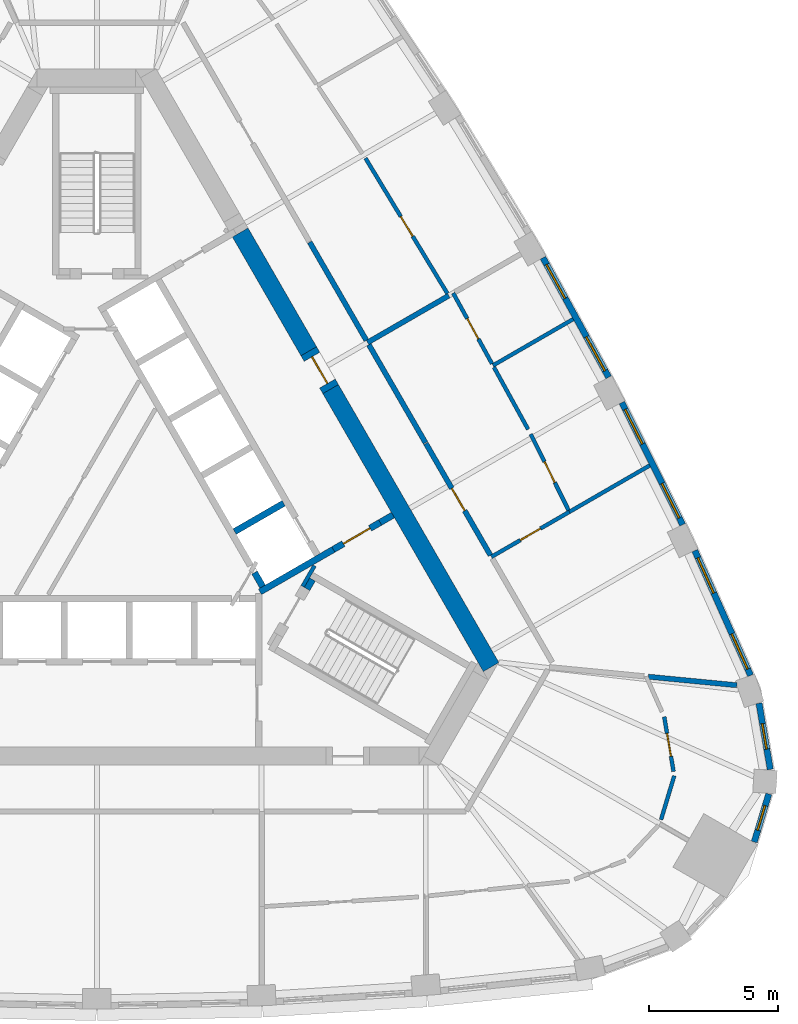
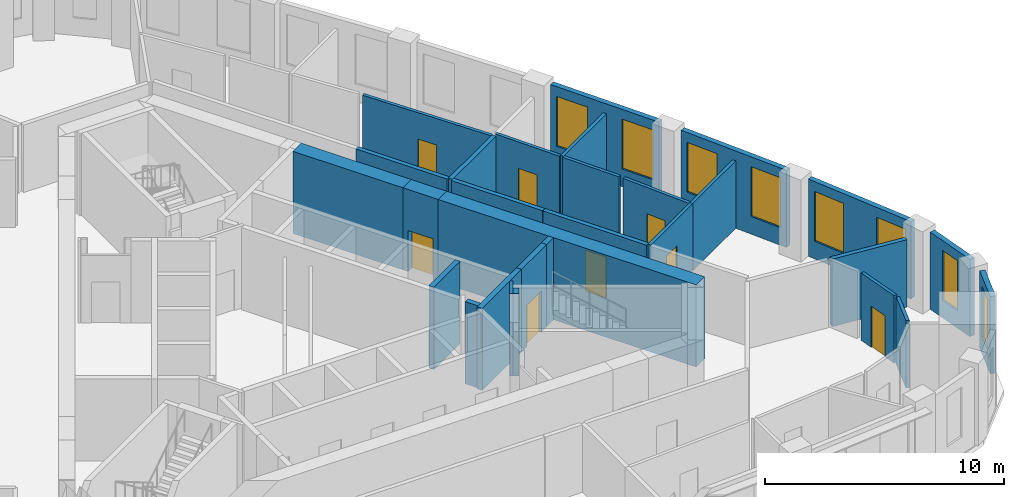
# One storey, part 7 of 10: 29 walls, 8 doors, 8 windows, 16 openings.
"""IFC4 building model written with IfcOpenShell, lengths in metres."""

from ifc_helpers import new_model, si_unit, direction, frame, frame_2d, origin, place, context, subcontext, project, spatial, rectangle, extrude, material, layer, layer_set, type_object, element, fill, save


model = new_model("IFC4")

# Units and contexts
model_context = context("Model", 3, precision=1e-05, world=origin(), true_north=direction((0.0, 1.0)))
body_context = subcontext(model_context, "Body", "Model", "MODEL_VIEW")
ifc_project = project(units=[si_unit("LENGTHUNIT", "METRE"), si_unit("AREAUNIT", "SQUARE_METRE"), si_unit("VOLUMEUNIT", "CUBIC_METRE"), si_unit("PLANEANGLEUNIT", "RADIAN"), si_unit("MASSUNIT", "GRAM", prefix="KILO")], contexts=[model_context])

# Site, building, storey
site_placement = place(None, origin())
site = spatial("IfcSite", under=ifc_project, at=site_placement, CompositionType="ELEMENT")
building_placement = place(site_placement, origin())
building = spatial("IfcBuilding", under=site, at=building_placement, Name="Mestral Congress Tower", CompositionType="ELEMENT")
storey_placement = place(building_placement, frame((0.0, 0.0, 226.800048828125)))
storey = spatial("IfcBuildingStorey", under=building, at=storey_placement, Name="L53", CompositionType="ELEMENT", Elevation=226.800048828125)

# Walls
ifc_material_1 = material(Name="Concrete C60/75", Category="concrete")
ifc_layer_1 = layer(ifc_material_1, 0.699951171875)
ifc_layer_set_1 = layer_set([ifc_layer_1], Name="Concrete C60/75")
wall_type_1 = type_object("IfcWallType", Name="Core wall RC 700", PredefinedType="SOLIDWALL", material=ifc_layer_set_1)
wall_1_placement = place(storey_placement, frame((9.085205078125, 4.263916015625, 0.0), z_axis=(0.0, 0.0, 1.0), x_axis=(0.499998082512, -0.866026510844, 0.0)))
element("IfcWall", 1, at=wall_1_placement, inside=storey, type_object=wall_type_1, Name="L53 core wall", PredefinedType="SOLIDWALL", context=body_context, shape_type="SweptSolid", body=[
    extrude(rectangle(XDim=12.47216796875, YDim=0.699951171875, at=frame_2d((6.236083984375, 0.0))), origin(), (0.0, 0.0, 1.0), 4.199951171875),
])
wall_2_placement = place(storey_placement, frame((5.5712890625, 10.350341796875, 0.0), z_axis=(0.0, 0.0, 1.0), x_axis=(0.499968379186, -0.8660436593, 0.0)))
element("IfcWall", 2, at=wall_2_placement, inside=storey, type_object=wall_type_1, Name="L53 core wall", PredefinedType="SOLIDWALL", context=body_context, shape_type="SweptSolid", body=[
    extrude(rectangle(XDim=5.327880859375, YDim=0.699951171875, at=frame_2d((2.6640625, 0.0))), origin(), (0.0, 0.0, 1.0), 4.199951171875),
])

# Wall, opening, door
wall_3_placement = place(storey_placement, frame((8.2353515625, 5.736083984375, 0.0), z_axis=(0.0, 0.0, 1.0), x_axis=(0.499954529098, -0.86605165483, 0.0)))
wall_3 = element("IfcWall", 3, at=wall_3_placement, inside=storey, type_object=wall_type_1, Name="L53 door wall", PredefinedType="SOLIDWALL", context=body_context, shape_type="SweptSolid", body=[
    extrude(rectangle(XDim=1.699951171875, YDim=0.699951171875, at=frame_2d((0.85009765625, 0.0))), origin(), (0.0, 0.0, 1.0), 4.199951171875),
])
opening_1_placement = place(wall_3_placement, frame((0.25, 0.0, 0.0)))
opening_1 = element("IfcOpeningElement", 4, at=opening_1_placement, cuts=wall_3, Name="Opening XDL", PredefinedType="OPENING", context=body_context, shape_type="SweptSolid", body=[
    extrude(rectangle(XDim=1.199951171875, YDim=2.10009765625, at=frame_2d((0.60009765625, 1.050048828125))), frame((0.0, 0.35986328125, 0.0), z_axis=(0.0, -1.0, 0.0), x_axis=(1.0, 0.0, 0.0)), (0.0, 0.0, 1.0), 0.719970703125),
])
ifc_material_2 = material(Name="Fire-rated steel door set", Category="steel")
door_type_1 = type_object("IfcDoorType", Name="Core door XD 1200x2100", OperationType="SINGLE_SWING_LEFT", PredefinedType="DOOR", material=ifc_material_2)
door_1_placement = place(opening_1_placement, origin())
door_1 = element("IfcDoor", 5, at=door_1_placement, inside=storey, type_object=door_type_1, Name="Door XDL", OperationType="SINGLE_SWING_LEFT", OverallHeight=2.10009765625, OverallWidth=1.199951171875, PredefinedType="DOOR", context=body_context, shape_type="SweptSolid", body=[
    extrude(rectangle(XDim=1.199951171875, YDim=2.10009765625, at=frame_2d((0.60009765625, 1.050048828125))), frame((0.0, 0.02490234375, 0.0), z_axis=(0.0, -1.0, 0.0), x_axis=(1.0, 0.0, 0.0)), (0.0, 0.0, 1.0), 0.050048828125),
])
fill(opening_1, door_1)

# Wall, opening, window
ifc_material_3 = material(Name="Precast concrete C40/50 with limestone facing", Category="masonry")
ifc_layer_2 = layer(ifc_material_3, 0.239990234375)
ifc_layer_set_2 = layer_set([ifc_layer_2], Name="Precast concrete C40/50 with limestone facing")
wall_type_2 = type_object("IfcWallType", Name="Facade stone wall 240", PredefinedType="SOLIDWALL", material=ifc_layer_set_2)
wall_4_placement = place(storey_placement, frame((25.5498046875, -13.334716796875, 0.0), z_axis=(0.0, 0.0, 1.0), x_axis=(0.288727209095, 0.957411405159, 0.0)))
wall_4 = element("IfcWall", 6, at=wall_4_placement, inside=storey, type_object=wall_type_2, Name="Facade wall K0-2", PredefinedType="SOLIDWALL", context=body_context, shape_type="SweptSolid", body=[
    extrude(rectangle(XDim=1.9482421875, YDim=0.239990234375, at=frame_2d((0.97412109375, 0.0))), origin(), (0.0, 0.0, 1.0), 3.949951171875),
])
opening_2_placement = place(wall_4_placement, frame((0.47412109375, 0.0, 0.89990234375)))
opening_2 = element("IfcOpeningElement", 7, at=opening_2_placement, cuts=wall_4, Name="Opening W5", PredefinedType="OPENING", context=body_context, shape_type="SweptSolid", body=[
    extrude(rectangle(XDim=1.0, YDim=2.550048828125, at=frame_2d((0.5, 1.27490234375))), frame((0.0, 0.1298828125, 0.0), z_axis=(0.0, -1.0, 0.0), x_axis=(1.0, 0.0, 0.0)), (0.0, 0.0, 1.0), 0.260009765625),
])
ifc_material_4 = material(Name="Clear low-emissivity double glazing", Category="glass")
window_type_1 = type_object("IfcWindowType", Name="Facade punched window 1000 x 2550 sill 900", PartitioningType="SINGLE_PANEL", PredefinedType="WINDOW", material=ifc_material_4)
window_1_placement = place(opening_2_placement, origin())
window_1 = element("IfcWindow", 8, at=window_1_placement, inside=storey, type_object=window_type_1, Name="Window K0-2", OverallHeight=2.550048828125, OverallWidth=1.0, PartitioningType="SINGLE_PANEL", PredefinedType="WINDOW", context=body_context, shape_type="SweptSolid", body=[
    extrude(rectangle(XDim=1.0, YDim=2.550048828125, at=frame_2d((0.5, 1.27490234375))), frame((0.0, 0.0400390625, 0.0), z_axis=(0.0, -1.0, 0.0), x_axis=(1.0, 0.0, 0.0)), (0.0, 0.0, 1.0), 0.06005859375),
])
fill(opening_2, window_1)

wall_5_placement = place(storey_placement, frame((26.171630859375, -10.517333984375, 0.0), z_axis=(0.0, 0.0, 1.0), x_axis=(-0.167660055546, 0.985844869021, 0.0)))
wall_5 = element("IfcWall", 9, at=wall_5_placement, inside=storey, type_object=wall_type_2, Name="Facade wall K0-3", PredefinedType="SOLIDWALL", context=body_context, shape_type="SweptSolid", body=[
    extrude(rectangle(XDim=2.609375, YDim=0.239990234375, at=frame_2d((1.3046875, 0.0))), origin(), (0.0, 0.0, 1.0), 3.949951171875),
])
opening_3_placement = place(wall_5_placement, frame((0.8046875, 0.0, 0.89990234375)))
opening_3 = element("IfcOpeningElement", 10, at=opening_3_placement, cuts=wall_5, Name="Opening W5", PredefinedType="OPENING", context=body_context, shape_type="SweptSolid", body=[
    extrude(rectangle(XDim=1.0, YDim=2.550048828125, at=frame_2d((0.5, 1.27490234375))), frame((0.0, 0.1298828125, 0.0), z_axis=(0.0, -1.0, 0.0), x_axis=(1.0, 0.0, 0.0)), (0.0, 0.0, 1.0), 0.260009765625),
])
window_2_placement = place(opening_3_placement, origin())
window_2 = element("IfcWindow", 11, at=window_2_placement, inside=storey, type_object=window_type_1, Name="Window K0-3", OverallHeight=2.550048828125, OverallWidth=1.0, PartitioningType="SINGLE_PANEL", PredefinedType="WINDOW", context=body_context, shape_type="SweptSolid", body=[
    extrude(rectangle(XDim=1.0, YDim=2.550048828125, at=frame_2d((0.5, 1.27490234375))), frame((0.0, 0.0400390625, 0.0), z_axis=(0.0, -1.0, 0.0), x_axis=(1.0, 0.0, 0.0)), (0.0, 0.0, 1.0), 0.06005859375),
])
fill(opening_3, window_2)

# Wall, openings, windows
wall_6_placement = place(storey_placement, frame((25.405029296875, -6.86083984375, 0.0), z_axis=(0.0, 0.0, 1.0), x_axis=(-0.407579651789, 0.913169659728, 0.0)))
wall_6 = element("IfcWall", 12, at=wall_6_placement, inside=storey, type_object=wall_type_2, Name="Facade wall F1-00", PredefinedType="SOLIDWALL", context=body_context, shape_type="SweptSolid", body=[
    extrude(rectangle(XDim=5.310791015625, YDim=0.239990234375, at=frame_2d((2.6552734375, 0.0))), origin(), (0.0, 0.0, 1.0), 3.949951171875),
])
opening_4_placement = place(wall_6_placement, frame((0.271484375, 0.0, 0.89990234375)))
opening_4 = element("IfcOpeningElement", 13, at=opening_4_placement, cuts=wall_6, Name="Opening W4", PredefinedType="OPENING", context=body_context, shape_type="SweptSolid", body=[
    extrude(rectangle(XDim=1.5, YDim=2.550048828125, at=frame_2d((0.75, 1.27490234375))), frame((0.0, 0.1298828125, 0.0), z_axis=(0.0, -1.0, 0.0), x_axis=(1.0, 0.0, 0.0)), (0.0, 0.0, 1.0), 0.260009765625),
])
opening_5_placement = place(wall_6_placement, frame((3.50439453125, 0.0, 0.89990234375)))
opening_5 = element("IfcOpeningElement", 14, at=opening_5_placement, cuts=wall_6, Name="Opening W4", PredefinedType="OPENING", context=body_context, shape_type="SweptSolid", body=[
    extrude(rectangle(XDim=1.5, YDim=2.550048828125, at=frame_2d((0.75, 1.27490234375))), frame((0.0, 0.1298828125, 0.0), z_axis=(0.0, -1.0, 0.0), x_axis=(1.0, 0.0, 0.0)), (0.0, 0.0, 1.0), 0.260009765625),
])
window_type_2 = type_object("IfcWindowType", Name="Facade punched window 1500 x 2550 sill 900", PartitioningType="SINGLE_PANEL", PredefinedType="WINDOW", material=ifc_material_4)
window_3_placement = place(opening_4_placement, origin())
window_3 = element("IfcWindow", 15, at=window_3_placement, inside=storey, type_object=window_type_2, Name="Window F1-00a", OverallHeight=2.550048828125, OverallWidth=1.5, PartitioningType="SINGLE_PANEL", PredefinedType="WINDOW", context=body_context, shape_type="SweptSolid", body=[
    extrude(rectangle(XDim=1.5, YDim=2.550048828125, at=frame_2d((0.75, 1.27490234375))), frame((0.0, 0.0400390625, 0.0), z_axis=(0.0, -1.0, 0.0), x_axis=(1.0, 0.0, 0.0)), (0.0, 0.0, 1.0), 0.06005859375),
])
fill(opening_4, window_3)
window_4_placement = place(opening_5_placement, origin())
window_4 = element("IfcWindow", 16, at=window_4_placement, inside=storey, type_object=window_type_2, Name="Window F1-00b", OverallHeight=2.550048828125, OverallWidth=1.5, PartitioningType="SINGLE_PANEL", PredefinedType="WINDOW", context=body_context, shape_type="SweptSolid", body=[
    extrude(rectangle(XDim=1.5, YDim=2.550048828125, at=frame_2d((0.75, 1.27490234375))), frame((0.0, 0.0400390625, 0.0), z_axis=(0.0, -1.0, 0.0), x_axis=(1.0, 0.0, 0.0)), (0.0, 0.0, 1.0), 0.06005859375),
])
fill(opening_5, window_4)

wall_7_placement = place(storey_placement, frame((22.765869140625, -1.0048828125, 0.0), z_axis=(0.0, 0.0, 1.0), x_axis=(-0.445129582031, 0.895466166419, 0.0)))
wall_7 = element("IfcWall", 17, at=wall_7_placement, inside=storey, type_object=wall_type_2, Name="Facade wall F1-01", PredefinedType="SOLIDWALL", context=body_context, shape_type="SweptSolid", body=[
    extrude(rectangle(XDim=5.29833984375, YDim=0.239990234375, at=frame_2d((2.649169921875, 0.0))), origin(), (0.0, 0.0, 1.0), 3.949951171875),
])
opening_6_placement = place(wall_7_placement, frame((0.294677734375, 0.0, 0.89990234375)))
opening_6 = element("IfcOpeningElement", 18, at=opening_6_placement, cuts=wall_7, Name="Opening W4", PredefinedType="OPENING", context=body_context, shape_type="SweptSolid", body=[
    extrude(rectangle(XDim=1.5, YDim=2.550048828125, at=frame_2d((0.75, 1.27490234375))), frame((0.0, 0.1298828125, 0.0), z_axis=(0.0, -1.0, 0.0), x_axis=(1.0, 0.0, 0.0)), (0.0, 0.0, 1.0), 0.260009765625),
])
opening_7_placement = place(wall_7_placement, frame((3.503662109375, 0.0, 0.89990234375)))
opening_7 = element("IfcOpeningElement", 19, at=opening_7_placement, cuts=wall_7, Name="Opening W4", PredefinedType="OPENING", context=body_context, shape_type="SweptSolid", body=[
    extrude(rectangle(XDim=1.5, YDim=2.550048828125, at=frame_2d((0.75, 1.27490234375))), frame((0.0, 0.1298828125, 0.0), z_axis=(0.0, -1.0, 0.0), x_axis=(1.0, 0.0, 0.0)), (0.0, 0.0, 1.0), 0.260009765625),
])
window_5_placement = place(opening_6_placement, origin())
window_5 = element("IfcWindow", 20, at=window_5_placement, inside=storey, type_object=window_type_2, Name="Window F1-01a", OverallHeight=2.550048828125, OverallWidth=1.5, PartitioningType="SINGLE_PANEL", PredefinedType="WINDOW", context=body_context, shape_type="SweptSolid", body=[
    extrude(rectangle(XDim=1.5, YDim=2.550048828125, at=frame_2d((0.75, 1.27490234375))), frame((0.0, 0.0400390625, 0.0), z_axis=(0.0, -1.0, 0.0), x_axis=(1.0, 0.0, 0.0)), (0.0, 0.0, 1.0), 0.06005859375),
])
fill(opening_6, window_5)
window_6_placement = place(opening_7_placement, origin())
window_6 = element("IfcWindow", 21, at=window_6_placement, inside=storey, type_object=window_type_2, Name="Window F1-01b", OverallHeight=2.550048828125, OverallWidth=1.5, PartitioningType="SINGLE_PANEL", PredefinedType="WINDOW", context=body_context, shape_type="SweptSolid", body=[
    extrude(rectangle(XDim=1.5, YDim=2.550048828125, at=frame_2d((0.75, 1.27490234375))), frame((0.0, 0.0400390625, 0.0), z_axis=(0.0, -1.0, 0.0), x_axis=(1.0, 0.0, 0.0)), (0.0, 0.0, 1.0), 0.06005859375),
])
fill(opening_7, window_6)

wall_8_placement = place(storey_placement, frame((19.8916015625, 4.725341796875, 0.0), z_axis=(0.0, 0.0, 1.0), x_axis=(-0.481925825015, 0.876212017256, 0.0)))
wall_8 = element("IfcWall", 22, at=wall_8_placement, inside=storey, type_object=wall_type_2, Name="Facade wall F1-02", PredefinedType="SOLIDWALL", context=body_context, shape_type="SweptSolid", body=[
    extrude(rectangle(XDim=5.298583984375, YDim=0.239990234375, at=frame_2d((2.6494140625, 0.0))), origin(), (0.0, 0.0, 1.0), 3.949951171875),
])
opening_8_placement = place(wall_8_placement, frame((0.294677734375, 0.0, 0.89990234375)))
opening_8 = element("IfcOpeningElement", 23, at=opening_8_placement, cuts=wall_8, Name="Opening W4", PredefinedType="OPENING", context=body_context, shape_type="SweptSolid", body=[
    extrude(rectangle(XDim=1.5, YDim=2.550048828125, at=frame_2d((0.75, 1.27490234375))), frame((0.0, 0.1298828125, 0.0), z_axis=(0.0, -1.0, 0.0), x_axis=(1.0, 0.0, 0.0)), (0.0, 0.0, 1.0), 0.260009765625),
])
opening_9_placement = place(wall_8_placement, frame((3.503662109375, 0.0, 0.89990234375)))
opening_9 = element("IfcOpeningElement", 24, at=opening_9_placement, cuts=wall_8, Name="Opening W4", PredefinedType="OPENING", context=body_context, shape_type="SweptSolid", body=[
    extrude(rectangle(XDim=1.5, YDim=2.550048828125, at=frame_2d((0.75, 1.27490234375))), frame((0.0, 0.1298828125, 0.0), z_axis=(0.0, -1.0, 0.0), x_axis=(1.0, 0.0, 0.0)), (0.0, 0.0, 1.0), 0.260009765625),
])
window_7_placement = place(opening_8_placement, origin())
window_7 = element("IfcWindow", 25, at=window_7_placement, inside=storey, type_object=window_type_2, Name="Window F1-02a", OverallHeight=2.550048828125, OverallWidth=1.5, PartitioningType="SINGLE_PANEL", PredefinedType="WINDOW", context=body_context, shape_type="SweptSolid", body=[
    extrude(rectangle(XDim=1.5, YDim=2.550048828125, at=frame_2d((0.75, 1.27490234375))), frame((0.0, 0.0400390625, 0.0), z_axis=(0.0, -1.0, 0.0), x_axis=(1.0, 0.0, 0.0)), (0.0, 0.0, 1.0), 0.06005859375),
])
fill(opening_8, window_7)
window_8_placement = place(opening_9_placement, origin())
window_8 = element("IfcWindow", 26, at=window_8_placement, inside=storey, type_object=window_type_2, Name="Window F1-02b", OverallHeight=2.550048828125, OverallWidth=1.5, PartitioningType="SINGLE_PANEL", PredefinedType="WINDOW", context=body_context, shape_type="SweptSolid", body=[
    extrude(rectangle(XDim=1.5, YDim=2.550048828125, at=frame_2d((0.75, 1.27490234375))), frame((0.0, 0.0400390625, 0.0), z_axis=(0.0, -1.0, 0.0), x_axis=(1.0, 0.0, 0.0)), (0.0, 0.0, 1.0), 0.06005859375),
])
fill(opening_9, window_8)

# Wall
ifc_material_5 = material(Name="Plasterboard partition on steel studs", Category="steel")
ifc_layer_3 = layer(ifc_material_5, 0.14990234375)
ifc_layer_set_3 = layer_set([ifc_layer_3], Name="Plasterboard partition on steel studs")
wall_type_3 = type_object("IfcWallType", Name="Office partition 150", PredefinedType="PARTITIONING", material=ifc_layer_set_3)
wall_9_placement = place(storey_placement, frame((21.92529296875, -12.468994140625, 0.0), z_axis=(0.0, 0.0, 1.0), x_axis=(0.288767705809, 0.957399191603, 0.0)))
element("IfcWall", 27, at=wall_9_placement, inside=storey, type_object=wall_type_3, Name="Partition", PredefinedType="PARTITIONING", context=body_context, shape_type="SweptSolid", body=[
    extrude(rectangle(XDim=1.7822265625, YDim=0.14990234375, at=frame_2d((0.89111328125, 0.0))), origin(), (0.0, 0.0, 1.0), 3.449951171875),
])

# Wall, opening, door
wall_10_placement = place(storey_placement, frame((22.05029296875, -8.471435546875, 0.0), z_axis=(0.0, 0.0, 1.0), x_axis=(0.167612004459, -0.985853039738, 0.0)))
wall_10 = element("IfcWall", 28, at=wall_10_placement, inside=storey, type_object=wall_type_3, Name="Partition", PredefinedType="PARTITIONING", context=body_context, shape_type="SweptSolid", body=[
    extrude(rectangle(XDim=2.15576171875, YDim=0.14990234375, at=frame_2d((1.077880859375, 0.0))), origin(), (0.0, 0.0, 1.0), 3.449951171875),
])
opening_10_placement = place(wall_10_placement, frame((0.655517578125, 0.0, 0.0)))
opening_10 = element("IfcOpeningElement", 29, at=opening_10_placement, cuts=wall_10, Name="Opening O08-010", PredefinedType="OPENING", context=body_context, shape_type="SweptSolid", body=[
    extrude(rectangle(XDim=0.89990234375, YDim=2.10009765625, at=frame_2d((0.449951171875, 1.050048828125))), frame((0.0, 0.0849609375, 0.0), z_axis=(0.0, -1.0, 0.0), x_axis=(1.0, 0.0, 0.0)), (0.0, 0.0, 1.0), 0.169921875),
])
ifc_material_6 = material(Name="Timber door set", Category="wood")
door_type_2 = type_object("IfcDoorType", Name="Office door 900x2100", OperationType="SINGLE_SWING_LEFT", PredefinedType="DOOR", material=ifc_material_6)
door_2_placement = place(opening_10_placement, origin())
door_2 = element("IfcDoor", 30, at=door_2_placement, inside=storey, type_object=door_type_2, Name="Door O08-010", OperationType="SINGLE_SWING_RIGHT", OverallHeight=2.10009765625, OverallWidth=0.89990234375, PredefinedType="DOOR", context=body_context, shape_type="SweptSolid", body=[
    extrude(rectangle(XDim=0.89990234375, YDim=2.10009765625, at=frame_2d((0.449951171875, 1.050048828125))), frame((0.0, 0.02490234375, 0.0), z_axis=(0.0, -1.0, 0.0), x_axis=(1.0, 0.0, 0.0)), (0.0, 0.0, 1.0), 0.050048828125),
])
fill(opening_10, door_2)

# Wall
wall_11_placement = place(storey_placement, frame((18.360107421875, -0.5078125, 0.0), z_axis=(0.0, 0.0, 1.0), x_axis=(0.866033589339, 0.499985821935, 0.0)))
element("IfcWall", 31, at=wall_11_placement, inside=storey, type_object=wall_type_3, Name="Partition", PredefinedType="PARTITIONING", context=body_context, shape_type="SweptSolid", body=[
    extrude(rectangle(XDim=3.61083984375, YDim=0.14990234375, at=frame_2d((1.805419921875, 0.0))), origin(), (0.0, 0.0, 1.0), 3.449951171875),
])

# Wall, opening, door
wall_12_placement = place(storey_placement, frame((18.366943359375, -0.50390625, 0.0), z_axis=(0.0, 0.0, 1.0), x_axis=(-0.866056812483, -0.499945594592, 0.0)))
wall_12 = element("IfcWall", 32, at=wall_12_placement, inside=storey, type_object=wall_type_3, Name="Partition", PredefinedType="PARTITIONING", context=body_context, shape_type="SweptSolid", body=[
    extrude(rectangle(XDim=3.50439453125, YDim=0.14990234375, at=frame_2d((1.752197265625, 0.0))), origin(), (0.0, 0.0, 1.0), 3.449951171875),
])
opening_11_placement = place(wall_12_placement, frame((1.30419921875, 0.0, 0.0)))
opening_11 = element("IfcOpeningElement", 33, at=opening_11_placement, cuts=wall_12, Name="Opening O08-012", PredefinedType="OPENING", context=body_context, shape_type="SweptSolid", body=[
    extrude(rectangle(XDim=0.89990234375, YDim=2.10009765625, at=frame_2d((0.449951171875, 1.050048828125))), frame((0.0, 0.0849609375, 0.0), z_axis=(0.0, -1.0, 0.0), x_axis=(1.0, 0.0, 0.0)), (0.0, 0.0, 1.0), 0.169921875),
])
door_3_placement = place(opening_11_placement, origin())
door_3 = element("IfcDoor", 34, at=door_3_placement, inside=storey, type_object=door_type_2, Name="Door O08-012", OperationType="SINGLE_SWING_RIGHT", OverallHeight=2.10009765625, OverallWidth=0.89990234375, PredefinedType="DOOR", context=body_context, shape_type="SweptSolid", body=[
    extrude(rectangle(XDim=0.89990234375, YDim=2.10009765625, at=frame_2d((0.449951171875, 1.050048828125))), frame((0.0, 0.02490234375, 0.0), z_axis=(0.0, -1.0, 0.0), x_axis=(1.0, 0.0, 0.0)), (0.0, 0.0, 1.0), 0.050048828125),
])
fill(opening_11, door_3)

# Wall
wall_13_placement = place(storey_placement, frame((15.394287109375, 5.18310546875, 0.0), z_axis=(0.0, 0.0, 1.0), x_axis=(0.866039935929, 0.499974828743, 0.0)))
element("IfcWall", 35, at=wall_13_placement, inside=storey, type_object=wall_type_3, Name="Partition", PredefinedType="PARTITIONING", context=body_context, shape_type="SweptSolid", body=[
    extrude(rectangle(XDim=3.600830078125, YDim=0.14990234375, at=frame_2d((1.80029296875, 0.0))), origin(), (0.0, 0.0, 1.0), 3.449951171875),
])

# Wall, opening, door
wall_14_placement = place(storey_placement, frame((16.86279296875, 2.5126953125, 0.0), z_axis=(0.0, 0.0, 1.0), x_axis=(0.445197589821, -0.895432357031, 0.0)))
wall_14 = element("IfcWall", 36, at=wall_14_placement, inside=storey, type_object=wall_type_3, Name="Partition", PredefinedType="PARTITIONING", context=body_context, shape_type="SweptSolid", body=[
    extrude(rectangle(XDim=3.2958984375, YDim=0.14990234375, at=frame_2d((1.64794921875, 0.0))), origin(), (0.0, 0.0, 1.0), 3.449951171875),
])
opening_12_placement = place(wall_14_placement, frame((1.19580078125, 0.0, 0.0)))
opening_12 = element("IfcOpeningElement", 37, at=opening_12_placement, cuts=wall_14, Name="Opening O08-013", PredefinedType="OPENING", context=body_context, shape_type="SweptSolid", body=[
    extrude(rectangle(XDim=0.89990234375, YDim=2.10009765625, at=frame_2d((0.449951171875, 1.050048828125))), frame((0.0, 0.0849609375, 0.0), z_axis=(0.0, -1.0, 0.0), x_axis=(1.0, 0.0, 0.0)), (0.0, 0.0, 1.0), 0.169921875),
])
door_4_placement = place(opening_12_placement, origin())
door_4 = element("IfcDoor", 38, at=door_4_placement, inside=storey, type_object=door_type_2, Name="Door O08-013", OperationType="SINGLE_SWING_LEFT", OverallHeight=2.10009765625, OverallWidth=0.89990234375, PredefinedType="DOOR", context=body_context, shape_type="SweptSolid", body=[
    extrude(rectangle(XDim=0.89990234375, YDim=2.10009765625, at=frame_2d((0.449951171875, 1.050048828125))), frame((0.0, 0.02490234375, 0.0), z_axis=(0.0, -1.0, 0.0), x_axis=(1.0, 0.0, 0.0)), (0.0, 0.0, 1.0), 0.050048828125),
])
fill(opening_12, door_4)

# Wall
wall_15_placement = place(storey_placement, frame((16.759521484375, 2.700439453125, 0.0), z_axis=(0.0, 0.0, 1.0), x_axis=(-0.481888167687, 0.876232728128, 0.0)))
element("IfcWall", 39, at=wall_15_placement, inside=storey, type_object=wall_type_3, Name="Partition", PredefinedType="PARTITIONING", context=body_context, shape_type="SweptSolid", body=[
    extrude(rectangle(XDim=2.758056640625, YDim=0.14990234375, at=frame_2d((1.37890625, 0.0))), origin(), (0.0, 0.0, 1.0), 3.449951171875),
])

# Wall, opening, door
wall_16_placement = place(storey_placement, frame((13.84765625, 7.994873046875, 0.0), z_axis=(0.0, 0.0, 1.0), x_axis=(0.481894826099, -0.876229066272, 0.0)))
wall_16 = element("IfcWall", 40, at=wall_16_placement, inside=storey, type_object=wall_type_3, Name="Partition", PredefinedType="PARTITIONING", context=body_context, shape_type="SweptSolid", body=[
    extrude(rectangle(XDim=3.134033203125, YDim=0.14990234375, at=frame_2d((1.56689453125, 0.0))), origin(), (0.0, 0.0, 1.0), 3.449951171875),
])
opening_13_placement = place(wall_16_placement, frame((1.134033203125, 0.0, 0.0)))
opening_13 = element("IfcOpeningElement", 41, at=opening_13_placement, cuts=wall_16, Name="Opening O08-014", PredefinedType="OPENING", context=body_context, shape_type="SweptSolid", body=[
    extrude(rectangle(XDim=0.89990234375, YDim=2.10009765625, at=frame_2d((0.449951171875, 1.050048828125))), frame((0.0, 0.0849609375, 0.0), z_axis=(0.0, -1.0, 0.0), x_axis=(1.0, 0.0, 0.0)), (0.0, 0.0, 1.0), 0.169921875),
])
door_5_placement = place(opening_13_placement, origin())
door_5 = element("IfcDoor", 42, at=door_5_placement, inside=storey, type_object=door_type_2, Name="Door O08-014", OperationType="SINGLE_SWING_RIGHT", OverallHeight=2.10009765625, OverallWidth=0.89990234375, PredefinedType="DOOR", context=body_context, shape_type="SweptSolid", body=[
    extrude(rectangle(XDim=0.89990234375, YDim=2.10009765625, at=frame_2d((0.449951171875, 1.050048828125))), frame((0.0, 0.02490234375, 0.0), z_axis=(0.0, -1.0, 0.0), x_axis=(1.0, 0.0, 0.0)), (0.0, 0.0, 1.0), 0.050048828125),
])
fill(opening_13, door_5)

wall_17_placement = place(storey_placement, frame((10.438720703125, 13.240234375, 0.0), z_axis=(0.0, 0.0, 1.0), x_axis=(0.517837859082, -0.855478785068, 0.0)))
wall_17 = element("IfcWall", 43, at=wall_17_placement, inside=storey, type_object=wall_type_3, Name="Partition", PredefinedType="PARTITIONING", context=body_context, shape_type="SweptSolid", body=[
    extrude(rectangle(XDim=6.1484375, YDim=0.14990234375, at=frame_2d((3.07421875, 0.0))), origin(), (0.0, 0.0, 1.0), 3.449951171875),
])
opening_14_placement = place(wall_17_placement, frame((2.6484375, 0.0, 0.0)))
opening_14 = element("IfcOpeningElement", 44, at=opening_14_placement, cuts=wall_17, Name="Opening O08-016", PredefinedType="OPENING", context=body_context, shape_type="SweptSolid", body=[
    extrude(rectangle(XDim=0.89990234375, YDim=2.10009765625, at=frame_2d((0.449951171875, 1.050048828125))), frame((0.0, 0.0849609375, 0.0), z_axis=(0.0, -1.0, 0.0), x_axis=(1.0, 0.0, 0.0)), (0.0, 0.0, 1.0), 0.169921875),
])
door_6_placement = place(opening_14_placement, origin())
door_6 = element("IfcDoor", 45, at=door_6_placement, inside=storey, type_object=door_type_2, Name="Door O08-016", OperationType="SINGLE_SWING_RIGHT", OverallHeight=2.10009765625, OverallWidth=0.89990234375, PredefinedType="DOOR", context=body_context, shape_type="SweptSolid", body=[
    extrude(rectangle(XDim=0.89990234375, YDim=2.10009765625, at=frame_2d((0.449951171875, 1.050048828125))), frame((0.0, 0.02490234375, 0.0), z_axis=(0.0, -1.0, 0.0), x_axis=(1.0, 0.0, 0.0)), (0.0, 0.0, 1.0), 0.050048828125),
])
fill(opening_14, door_6)

# Walls
ifc_material_7 = material(Name="Dense masonry wall, plastered", Category="masonry")
ifc_layer_4 = layer(ifc_material_7, 0.199951171875)
ifc_layer_set_4 = layer_set([ifc_layer_4], Name="Dense masonry wall, plastered")
wall_type_4 = type_object("IfcWallType", Name="Office tenancy wall 200", PredefinedType="PARTITIONING", material=ifc_layer_set_4)
wall_18_placement = place(storey_placement, frame((21.4365234375, -6.91259765625, 0.0), z_axis=(0.0, 0.0, 1.0), x_axis=(0.995357015301, -0.096251816042, 0.0)))
element("IfcWall", 46, at=wall_18_placement, inside=storey, type_object=wall_type_4, Name="Tenancy wall", PredefinedType="PARTITIONING", context=body_context, shape_type="SweptSolid", body=[
    extrude(rectangle(XDim=3.44970703125, YDim=0.199951171875, at=frame_2d((1.724853515625, 0.0))), origin(), (0.0, 0.0, 1.0), 3.449951171875),
])
wall_19_placement = place(storey_placement, frame((10.522216796875, 6.074951171875, 0.0), z_axis=(0.0, 0.0, 1.0), x_axis=(0.866003708037, 0.500037576254, 0.0)))
element("IfcWall", 47, at=wall_19_placement, inside=storey, type_object=wall_type_4, Name="Tenancy wall", PredefinedType="PARTITIONING", context=body_context, shape_type="SweptSolid", body=[
    extrude(rectangle(XDim=3.643798828125, YDim=0.199951171875, at=frame_2d((1.82177734375, 0.0))), origin(), (0.0, 0.0, 1.0), 3.449951171875),
])
wall_20_placement = place(storey_placement, frame((12.772216796875, 2.177978515625, 0.0), z_axis=(0.0, 0.0, 1.0), x_axis=(-0.50001224981, 0.866018331238, 0.0)))
element("IfcWall", 48, at=wall_20_placement, inside=storey, type_object=wall_type_4, Name="Tenancy wall", PredefinedType="PARTITIONING", context=body_context, shape_type="SweptSolid", body=[
    extrude(rectangle(XDim=4.39990234375, YDim=0.199951171875, at=frame_2d((2.199951171875, 0.0))), origin(), (0.0, 0.0, 1.0), 3.449951171875),
])

# Wall, opening, door
wall_21_placement = place(storey_placement, frame((15.294677734375, -2.19091796875, 0.0), z_axis=(0.0, 0.0, 1.0), x_axis=(-0.500039923732, 0.86600235258, 0.0)))
wall_21 = element("IfcWall", 49, at=wall_21_placement, inside=storey, type_object=wall_type_4, Name="Tenancy wall", PredefinedType="PARTITIONING", context=body_context, shape_type="SweptSolid", body=[
    extrude(rectangle(XDim=5.0146484375, YDim=0.199951171875, at=frame_2d((2.50732421875, 0.0))), origin(), (0.0, 0.0, 1.0), 3.449951171875),
])
opening_15_placement = place(wall_21_placement, frame((2.0, 0.0, 0.0)))
opening_15 = element("IfcOpeningElement", 50, at=opening_15_placement, cuts=wall_21, Name="Opening O08-015", PredefinedType="OPENING", context=body_context, shape_type="SweptSolid", body=[
    extrude(rectangle(XDim=1.0, YDim=2.10009765625, at=frame_2d((0.5, 1.050048828125))), frame((0.0, 0.10986328125, 0.0), z_axis=(0.0, -1.0, 0.0), x_axis=(1.0, 0.0, 0.0)), (0.0, 0.0, 1.0), 0.219970703125),
])
ifc_material_8 = material(Name="Fire-rated timber door set", Category="wood")
door_type_3 = type_object("IfcDoorType", Name="Office tenancy entrance door 1000x2100", OperationType="SINGLE_SWING_LEFT", PredefinedType="DOOR", material=ifc_material_8)
door_7_placement = place(opening_15_placement, origin())
door_7 = element("IfcDoor", 51, at=door_7_placement, inside=storey, type_object=door_type_3, Name="Door O08-015", OperationType="SINGLE_SWING_LEFT", OverallHeight=2.10009765625, OverallWidth=1.0, PredefinedType="DOOR", context=body_context, shape_type="SweptSolid", body=[
    extrude(rectangle(XDim=1.0, YDim=2.10009765625, at=frame_2d((0.5, 1.050048828125))), frame((0.0, 0.02490234375, 0.0), z_axis=(0.0, -1.0, 0.0), x_axis=(1.0, 0.0, 0.0)), (0.0, 0.0, 1.0), 0.050048828125),
])
fill(opening_15, door_7)

# Walls
wall_22_placement = place(storey_placement, frame((10.47216796875, 6.16162109375, 0.0), z_axis=(0.0, 0.0, 1.0), x_axis=(-0.499988222896, 0.866032203192, 0.0)))
element("IfcWall", 52, at=wall_22_placement, inside=storey, type_object=wall_type_4, Name="Tenancy wall", PredefinedType="PARTITIONING", context=body_context, shape_type="SweptSolid", body=[
    extrude(rectangle(XDim=4.39990234375, YDim=0.199951171875, at=frame_2d((2.199951171875, 0.0))), origin(), (0.0, 0.0, 1.0), 3.449951171875),
])
ifc_layer_5 = layer(ifc_material_1, 0.25)
ifc_layer_set_5 = layer_set([ifc_layer_5], Name="Concrete C60/75")
wall_type_5 = type_object("IfcWallType", Name="Shaft wall RC 250", PredefinedType="SOLIDWALL", material=ifc_layer_set_5)
wall_23_placement = place(storey_placement, frame((9.190185546875, -1.96875, 0.0), z_axis=(0.0, 0.0, 1.0), x_axis=(-0.866057109641, -0.499945079824, 0.0)))
element("IfcWall", 53, at=wall_23_placement, inside=storey, type_object=wall_type_5, Name="L53 core wall", PredefinedType="SOLIDWALL", context=body_context, shape_type="SweptSolid", body=[
    extrude(rectangle(XDim=3.290771484375, YDim=0.25, at=frame_2d((1.6455078125, 0.0))), origin(), (0.0, 0.0, 1.0), 4.199951171875),
])
wall_24_placement = place(storey_placement, frame((6.1298828125, -2.867431640625, 0.0), z_axis=(0.0, 0.0, 1.0), x_axis=(0.500160776593, -0.865932559475, 0.0)))
element("IfcWall", 54, at=wall_24_placement, inside=storey, type_object=wall_type_5, Name="L53 core wall", PredefinedType="SOLIDWALL", context=body_context, shape_type="SweptSolid", body=[
    extrude(rectangle(XDim=0.626708984375, YDim=0.25, at=frame_2d((0.3134765625, 0.0))), origin(), (0.0, 0.0, 1.0), 4.199951171875),
])
wall_25_placement = place(storey_placement, frame((11.507080078125, -0.631103515625, 0.0), z_axis=(0.0, 0.0, 1.0), x_axis=(-0.866093731455, -0.499881634324, 0.0)))
element("IfcWall", 55, at=wall_25_placement, inside=storey, type_object=wall_type_5, Name="L53 core wall", PredefinedType="SOLIDWALL", context=body_context, shape_type="SweptSolid", body=[
    extrude(rectangle(XDim=0.575439453125, YDim=0.25, at=frame_2d((0.28759765625, 0.0))), origin(), (0.0, 0.0, 1.0), 4.199951171875),
])
wall_26_placement = place(storey_placement, frame((5.35400390625, -1.273681640625, 0.0), z_axis=(0.0, 0.0, 1.0), x_axis=(0.866008176907, 0.50002983664, 0.0)))
element("IfcWall", 56, at=wall_26_placement, inside=storey, type_object=wall_type_5, Name="L53 core wall", PredefinedType="SOLIDWALL", context=body_context, shape_type="SweptSolid", body=[
    extrude(rectangle(XDim=2.199951171875, YDim=0.25, at=frame_2d((1.10009765625, 0.0))), origin(), (0.0, 0.0, 1.0), 4.199951171875),
])

# Wall, opening, door
wall_27_placement = place(storey_placement, frame((11.0087890625, -0.918701171875, 0.0), z_axis=(0.0, 0.0, 1.0), x_axis=(-0.866059744384, -0.49994051562, 0.0)))
wall_27 = element("IfcWall", 57, at=wall_27_placement, inside=storey, type_object=wall_type_5, Name="L53 door wall", PredefinedType="SOLIDWALL", context=body_context, shape_type="SweptSolid", body=[
    extrude(rectangle(XDim=2.099853515625, YDim=0.25, at=frame_2d((1.0498046875, 0.0))), origin(), (0.0, 0.0, 1.0), 4.199951171875),
])
opening_16_placement = place(wall_27_placement, frame((0.449951171875, 0.0, 0.0)))
opening_16 = element("IfcOpeningElement", 58, at=opening_16_placement, cuts=wall_27, Name="Opening LB1-PX10", PredefinedType="OPENING", context=body_context, shape_type="SweptSolid", body=[
    extrude(rectangle(XDim=1.199951171875, YDim=2.10009765625, at=frame_2d((0.60009765625, 1.050048828125))), frame((0.0, 0.135009765625, 0.0), z_axis=(0.0, -1.0, 0.0), x_axis=(1.0, 0.0, 0.0)), (0.0, 0.0, 1.0), 0.27001953125),
])
door_type_4 = type_object("IfcDoorType", Name="Core door LB 1200x2100", OperationType="SINGLE_SWING_LEFT", PredefinedType="DOOR", material=ifc_material_2)
door_8_placement = place(opening_16_placement, origin())
door_8 = element("IfcDoor", 59, at=door_8_placement, inside=storey, type_object=door_type_4, Name="Door LB1-PX10", OperationType="SINGLE_SWING_LEFT", OverallHeight=2.10009765625, OverallWidth=1.199951171875, PredefinedType="DOOR", context=body_context, shape_type="SweptSolid", body=[
    extrude(rectangle(XDim=1.199951171875, YDim=2.10009765625, at=frame_2d((0.60009765625, 1.050048828125))), frame((0.0, 0.02490234375, 0.0), z_axis=(0.0, -1.0, 0.0), x_axis=(1.0, 0.0, 0.0)), (0.0, 0.0, 1.0), 0.050048828125),
])
fill(opening_16, door_8)

# Walls
ifc_layer_6 = layer(ifc_material_1, 0.14990234375)
ifc_layer_set_6 = layer_set([ifc_layer_6], Name="Concrete C60/75")
wall_type_6 = type_object("IfcWallType", Name="Shaft wall RC 250 door-wall 150", PredefinedType="SOLIDWALL", material=ifc_layer_set_6)
wall_28_placement = place(storey_placement, frame((8.459228515625, -2.59912109375, 0.0), z_axis=(0.0, 0.0, 1.0), x_axis=(-0.500041054325, -0.866001699761, 0.0)))
element("IfcWall", 60, at=wall_28_placement, inside=storey, type_object=wall_type_6, Name="L53 core wall", PredefinedType="PARTITIONING", context=body_context, shape_type="SweptSolid", body=[
    extrude(rectangle(XDim=0.9287109375, YDim=0.14990234375, at=frame_2d((0.46435546875, 0.0))), origin(), (0.0, 0.0, 1.0), 4.199951171875),
])
ifc_layer_7 = layer(ifc_material_1, 0.25)
ifc_layer_set_7 = layer_set([ifc_layer_7], Name="Concrete C60/75")
wall_type_7 = type_object("IfcWallType", Name="Stair wall RC 250", PredefinedType="SOLIDWALL", material=ifc_layer_set_7)
wall_29_placement = place(storey_placement, frame((8.167724609375, -3.503173828125, 0.0), z_axis=(0.0, 0.0, 1.0), x_axis=(0.49972245349, 0.866185586049, 0.0)))
element("IfcWall", 61, at=wall_29_placement, inside=storey, type_object=wall_type_7, Name="L53 core wall", PredefinedType="SOLIDWALL", context=body_context, shape_type="SweptSolid", body=[
    extrude(rectangle(XDim=0.425048828125, YDim=0.25, at=frame_2d((0.21240234375, 0.0))), origin(), (0.0, 0.0, 1.0), 4.199951171875),
])

save(model, "model.ifc")
